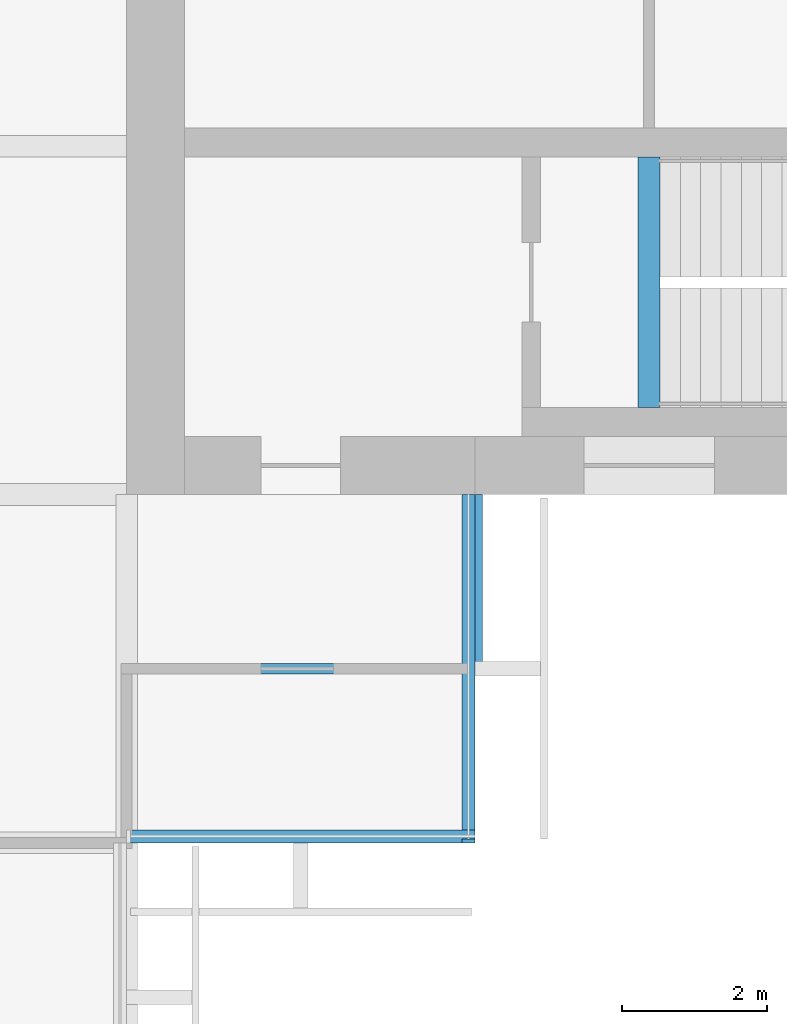
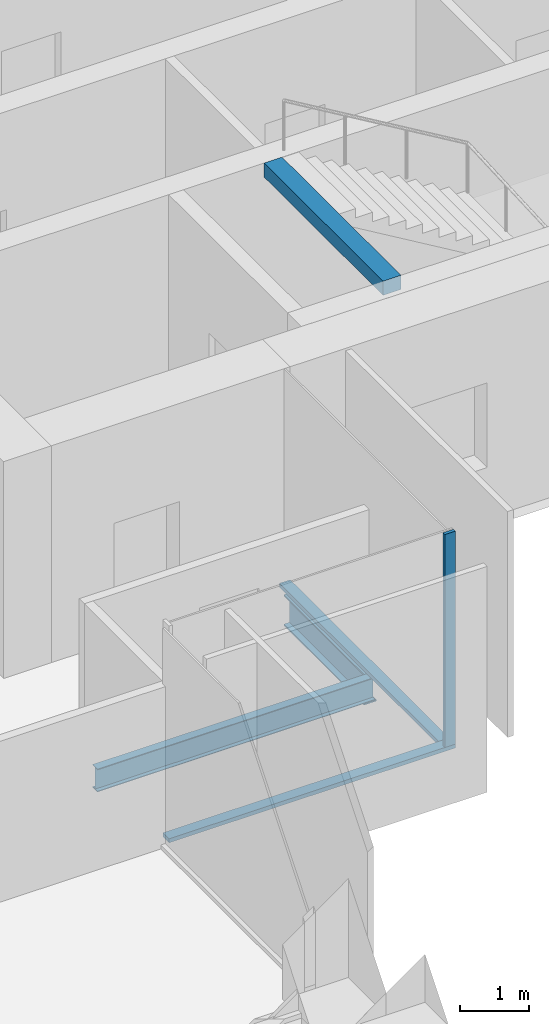
# One storey, part 4 of 13: 3 beams, 3 members, 2 elements without a shape of their own.
"""IFC4 building model written with IfcOpenShell, lengths in metres."""

from ifc_helpers import new_model, si_unit, direction, frame, origin, origin_2d, place, context, subcontext, project, spatial, rectangle, i_section, extrude, material, material_profile, profile_set, type_object, element, aggregate, save


model = new_model("IFC4")

# Units and contexts
model_context = context("Model", 3, precision=1e-05, world=origin(), true_north=direction((0.0, 1.0)))
body_context = subcontext(model_context, "Body", "Model", "MODEL_VIEW")
ifc_project = project(units=[si_unit("LENGTHUNIT", "METRE"), si_unit("AREAUNIT", "SQUARE_METRE"), si_unit("VOLUMEUNIT", "CUBIC_METRE"), si_unit("PLANEANGLEUNIT", "RADIAN"), si_unit("MASSUNIT", "GRAM", prefix="KILO")], contexts=[model_context])

# Site, building, storey
site_placement = place(None, origin())
site = spatial("IfcSite", under=ifc_project, at=site_placement, CompositionType="ELEMENT")
building_placement = place(site_placement, origin())
building = spatial("IfcBuilding", under=site, at=building_placement, Name="Baori Bourse Tower", CompositionType="ELEMENT")
storey_placement = place(building_placement, frame((0.0, 0.0, 241.199951171875)))
storey = spatial("IfcBuildingStorey", under=building, at=storey_placement, Name="L53", CompositionType="ELEMENT", Elevation=241.199951171875)

# Curtain wall, member
ifc_material_1 = material(Name="Pale anodised aluminium", Category="aluminium")
curtain_wall_type = type_object("IfcCurtainWallType", Name="CW2 Curtain wall", PredefinedType="NOTDEFINED", material=ifc_material_1)
curtain_wall_1_placement = place(storey_placement, origin())
curtain_wall_1 = element("IfcCurtainWall", 1, at=curtain_wall_1_placement, inside=storey, type_object=curtain_wall_type, Name="Curtain wall CW2 L53 14", PredefinedType="NOTDEFINED")
ifc_material_2 = material(Name="Pale anodised aluminium", Category="aluminium")
ifc_material_profile_1 = material_profile(ifc_material_2, rectangle(XDim=0.179931640625, YDim=0.054931640625, at=origin_2d()), Name="Mullion 55x180")
ifc_profile_set_1 = profile_set([ifc_material_profile_1], Name="Pale anodised aluminium")
member_type_1 = type_object("IfcMemberType", Name="CW2 Curtain wall mullion", PredefinedType="MULLION", material=ifc_profile_set_1)
member_1_placement = place(storey_placement, frame((43.110107421875, 4.827392578125, 0.070068359375), z_axis=(0.0, 0.0, 1.0), x_axis=(-1.0, 0.0, 0.0)))
member_1 = element("IfcMember", 2, at=member_1_placement, type_object=member_type_1, Name="Curtain wall CW2 mullion", PredefinedType="MULLION", context=body_context, shape_type="SweptSolid", body=[
    extrude(rectangle(XDim=0.179931640625, YDim=0.054931640625, at=origin_2d()), origin(), (0.0, 0.0, 1.0), 3.77001953125),
])

curtain_wall_2_placement = place(storey_placement, origin())
curtain_wall_2 = element("IfcCurtainWall", 3, at=curtain_wall_2_placement, inside=storey, type_object=curtain_wall_type, Name="Curtain wall CW2 L53 13", PredefinedType="NOTDEFINED")
ifc_material_3 = material(Name="Pale anodised aluminium", Category="aluminium")
ifc_material_profile_2 = material_profile(ifc_material_3, rectangle(XDim=0.179931640625, YDim=0.070068359375, at=origin_2d()), Name="Transom 70x180")
ifc_profile_set_2 = profile_set([ifc_material_profile_2], Name="Pale anodised aluminium")
member_type_2 = type_object("IfcMemberType", Name="CW2 Curtain wall transom", PredefinedType="USERDEFINED", material=ifc_profile_set_2)
member_2_placement = place(storey_placement, frame((38.39990234375, 4.889892578125, 0.03515625), z_axis=(1.0, 0.0, 0.0), x_axis=(0.0, 1.0, 0.0)))
member_2 = element("IfcMember", 4, at=member_2_placement, type_object=member_type_2, Name="Curtain wall CW2 sill rail", ObjectType="TRANSOM", PredefinedType="USERDEFINED", context=body_context, shape_type="SweptSolid", body=[
    extrude(rectangle(XDim=0.179931640625, YDim=0.070068359375, at=origin_2d()), origin(), (0.0, 0.0, 1.0), 4.800048828125),
])
aggregate(curtain_wall_2, [member_2])

# Member
member_3_placement = place(storey_placement, frame((43.110107421875, 4.800048828125, 0.03515625), z_axis=(0.0, 1.0, 0.0), x_axis=(-1.0, 0.0, 0.0)))
member_3 = element("IfcMember", 5, at=member_3_placement, type_object=member_type_2, Name="Curtain wall CW2 sill rail", ObjectType="TRANSOM", PredefinedType="USERDEFINED", context=body_context, shape_type="SweptSolid", body=[
    extrude(rectangle(XDim=0.179931640625, YDim=0.070068359375, at=origin_2d()), origin(), (0.0, 0.0, 1.0), 4.800048828125),
])

aggregate(curtain_wall_1, [member_3, member_1])

# Beams
ifc_material_4 = material(Name="Steel A992 Gr 50", Category="steel")
ifc_material_profile_3 = material_profile(ifc_material_4, i_section(OverallWidth=0.21240234375, OverallDepth=0.54345703125, WebThickness=0.01318359375, FlangeThickness=0.021240234375, at=origin_2d()), Name="W21x83")
ifc_profile_set_3 = profile_set([ifc_material_profile_3], Name="Steel A992 Gr 50")
beam_type_1 = type_object("IfcBeamType", Name="Core bracket W21x83", PredefinedType="BEAM", material=ifc_profile_set_3)
beam_1_placement = place(storey_placement, frame((43.199951171875, 7.270263671875, -0.431640625), z_axis=(0.0, 1.0, 0.0), x_axis=(-1.0, 0.0, 0.0)))
element("IfcBeam", 6, at=beam_1_placement, inside=storey, type_object=beam_type_1, Name="Core bracket L53", PredefinedType="BEAM", context=body_context, shape_type="SweptSolid", body=[
    extrude(i_section(OverallWidth=0.21240234375, OverallDepth=0.54345703125, WebThickness=0.01318359375, FlangeThickness=0.021240234375, at=origin_2d()), origin(), (0.0, 0.0, 1.0), 2.329833984375),
])
ifc_material_5 = material(Name="Concrete f'c 50 MPa", Category="concrete")
ifc_material_profile_4 = material_profile(ifc_material_5, rectangle(XDim=0.300048828125, YDim=0.25, at=origin_2d()), Name="RC 300x250")
ifc_profile_set_4 = profile_set([ifc_material_profile_4], Name="Concrete f'c 50 MPa")
beam_type_2 = type_object("IfcBeamType", Name="Stair nib beam RC 300x250", PredefinedType="BEAM", material=ifc_profile_set_4)
beam_2_placement = place(storey_placement, frame((45.60009765625, 10.800048828125, 3.715087890625), z_axis=(0.0, 1.0, 0.0), x_axis=(-1.0, 0.0, 0.0)))
element("IfcBeam", 7, at=beam_2_placement, inside=storey, type_object=beam_type_2, Name="Stair EA nib beam L54", PredefinedType="BEAM", context=body_context, shape_type="SweptSolid", body=[
    extrude(rectangle(XDim=0.300048828125, YDim=0.25, at=origin_2d()), origin(), (0.0, 0.0, 1.0), 3.449951171875),
])
ifc_material_6 = material(Name="Steel A992 Gr 50", Category="steel")
ifc_material_profile_5 = material_profile(ifc_material_6, i_section(OverallWidth=0.140380859375, OverallDepth=0.40380859375, WebThickness=0.007080078125, FlangeThickness=0.01123046875, at=origin_2d()), Name="W16x31")
ifc_profile_set_5 = profile_set([ifc_material_profile_5], Name="Steel A992 Gr 50")
beam_type_3 = type_object("IfcBeamType", Name="Trimmer beam W16x31", PredefinedType="BEAM", material=ifc_profile_set_5)
beam_3_placement = place(storey_placement, frame((38.546142578125, 7.199951171875, -0.36181640625), z_axis=(1.0, 0.0, 0.0), x_axis=(0.0, 1.0, 0.0)))
element("IfcBeam", 8, at=beam_3_placement, inside=storey, type_object=beam_type_3, Name="Trimmer beam L53", PredefinedType="BEAM", context=body_context, shape_type="SweptSolid", body=[
    extrude(i_section(OverallWidth=0.140380859375, OverallDepth=0.40380859375, WebThickness=0.007080078125, FlangeThickness=0.01123046875, at=origin_2d()), origin(), (0.0, 0.0, 1.0), 4.65380859375),
])

save(model, "model.ifc")
